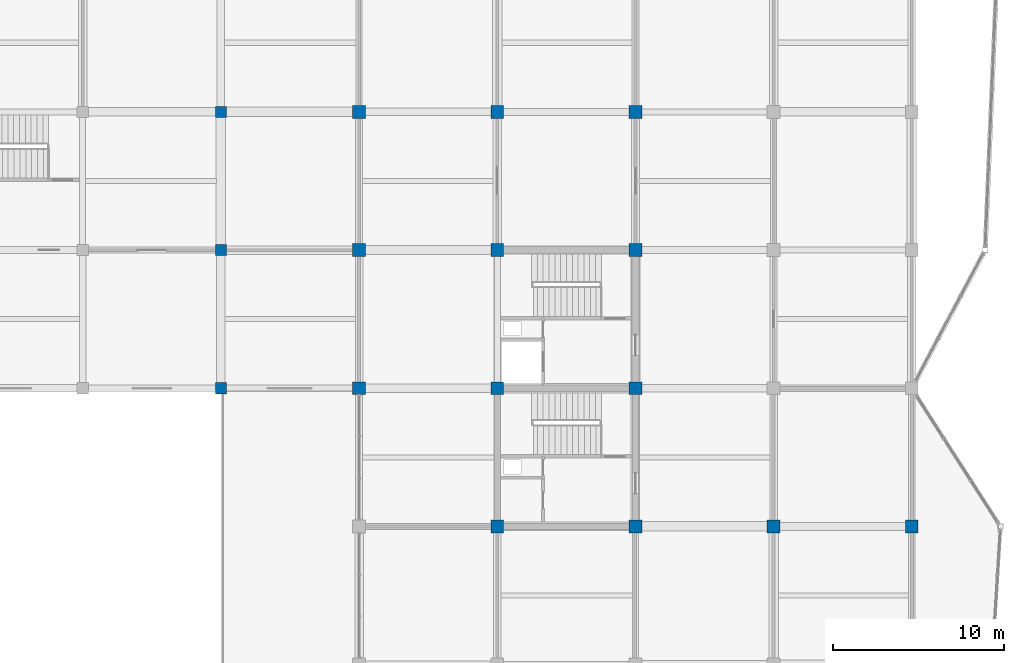
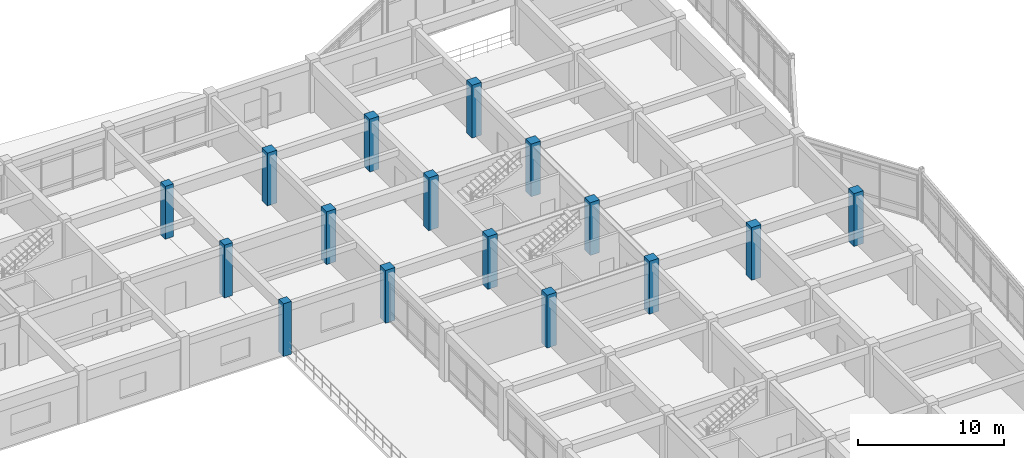
# One storey, part 8 of 70: 16 columns.
"""IFC4 building model written with IfcOpenShell, lengths in metres."""

from ifc_helpers import new_model, si_unit, direction, frame, origin, origin_2d, place, context, subcontext, project, spatial, rectangle, extrude, material, material_profile, profile_set, type_object, element, save


model = new_model("IFC4")

# Units and contexts
model_context = context("Model", 3, precision=1e-05, world=origin(), true_north=direction((0.0, 1.0)))
body_context = subcontext(model_context, "Body", "Model", "MODEL_VIEW")
ifc_project = project(units=[si_unit("LENGTHUNIT", "METRE"), si_unit("AREAUNIT", "SQUARE_METRE"), si_unit("VOLUMEUNIT", "CUBIC_METRE"), si_unit("PLANEANGLEUNIT", "RADIAN"), si_unit("MASSUNIT", "GRAM", prefix="KILO")], contexts=[model_context])

# Site, building, storey
site_placement = place(None, origin())
site = spatial("IfcSite", under=ifc_project, at=site_placement, CompositionType="ELEMENT")
building_placement = place(site_placement, origin())
building = spatial("IfcBuilding", under=site, at=building_placement, Name="Vaudrelin Polytechnic", CompositionType="ELEMENT")
storey_placement = place(building_placement, frame((0.0, 0.0, 14.110107421875)))
storey = spatial("IfcBuildingStorey", under=building, at=storey_placement, Name="L03", CompositionType="ELEMENT", Elevation=14.110107421875)

# Columns
ifc_material_1 = material(Name="Concrete 40 MPa", Category="concrete")
ifc_material_profile_1 = material_profile(ifc_material_1, rectangle(XDim=0.64990234375, YDim=0.64990234375, at=origin_2d()), Name="RC650x650")
ifc_profile_set_1 = profile_set([ifc_material_profile_1], Name="Concrete 40 MPa")
column_type_1 = type_object("IfcColumnType", Name="COL-C-RC650", PredefinedType="COLUMN", material=ifc_profile_set_1)
for number, where, z_axis, x_axis, name in (
    (1, (129.60009765625, 97.199951171875, 0.0), (0.0, 0.0, 1.0), (1.0, 0.0, 0.0), "Column L03 17-13"),
    (2, (129.60009765625, 105.300048828125, 0.0), (0.0, 0.0, 1.0), (1.0, 0.0, 0.0), "Column L03 17-14"),
    (3, (129.60009765625, 113.39990234375, 0.0), (0.0, 0.0, 1.0), (1.0, 0.0, 0.0), "Column L03 17-15"),
):
    element("IfcColumn", number, at=place(storey_placement, frame(where, z_axis=z_axis, x_axis=x_axis)), inside=storey, type_object=column_type_1, Name=name, PredefinedType="COLUMN", context=body_context, shape_type="SweptSolid", body=[
        extrude(rectangle(XDim=0.64990234375, YDim=0.64990234375, at=origin_2d()), origin(), (0.0, 0.0, 1.0), 4.419921875),
    ])
ifc_material_2 = material(Name="Concrete 50 MPa", Category="concrete")
ifc_material_profile_2 = material_profile(ifc_material_2, rectangle(XDim=0.75, YDim=0.75, at=origin_2d()), Name="RC750x750")
ifc_profile_set_2 = profile_set([ifc_material_profile_2], Name="Concrete 50 MPa")
column_type_2 = type_object("IfcColumnType", Name="COL-C-RC750", PredefinedType="COLUMN", material=ifc_profile_set_2)
for number, where, z_axis, x_axis, name in (
    (4, (137.699951171875, 97.199951171875, 0.0), (0.0, 0.0, 1.0), (1.0, 0.0, 0.0), "Column L03 18-13"),
    (5, (137.699951171875, 105.300048828125, 0.0), (0.0, 0.0, 1.0), (1.0, 0.0, 0.0), "Column L03 18-14"),
    (6, (137.699951171875, 113.39990234375, 0.0), (0.0, 0.0, 1.0), (1.0, 0.0, 0.0), "Column L03 18-15"),
    (7, (145.800048828125, 89.10009765625, 0.0), (0.0, 0.0, 1.0), (1.0, 0.0, 0.0), "Column L03 19-12"),
    (8, (145.800048828125, 97.199951171875, 0.0), (0.0, 0.0, 1.0), (1.0, 0.0, 0.0), "Column L03 19-13"),
    (9, (145.800048828125, 105.300048828125, 0.0), (0.0, 0.0, 1.0), (1.0, 0.0, 0.0), "Column L03 19-14"),
    (10, (145.800048828125, 113.39990234375, 0.0), (0.0, 0.0, 1.0), (1.0, 0.0, 0.0), "Column L03 19-15"),
    (11, (153.89990234375, 89.10009765625, 0.0), (0.0, 0.0, 1.0), (1.0, 0.0, 0.0), "Column L03 20-12"),
    (12, (153.89990234375, 97.199951171875, 0.0), (0.0, 0.0, 1.0), (1.0, 0.0, 0.0), "Column L03 20-13"),
    (13, (153.89990234375, 105.300048828125, 0.0), (0.0, 0.0, 1.0), (1.0, 0.0, 0.0), "Column L03 20-14"),
    (14, (153.89990234375, 113.39990234375, 0.0), (0.0, 0.0, 1.0), (1.0, 0.0, 0.0), "Column L03 20-15"),
    (15, (162.0, 89.10009765625, 0.0), (0.0, 0.0, 1.0), (1.0, 0.0, 0.0), "Column L03 21-12"),
    (16, (170.10009765625, 89.10009765625, 0.0), (0.0, 0.0, 1.0), (1.0, 0.0, 0.0), "Column L03 22-12"),
):
    element("IfcColumn", number, at=place(storey_placement, frame(where, z_axis=z_axis, x_axis=x_axis)), inside=storey, type_object=column_type_2, Name=name, PredefinedType="COLUMN", context=body_context, shape_type="SweptSolid", body=[
        extrude(rectangle(XDim=0.75, YDim=0.75, at=origin_2d()), origin(), (0.0, 0.0, 1.0), 4.419921875),
    ])

save(model, "model.ifc")
